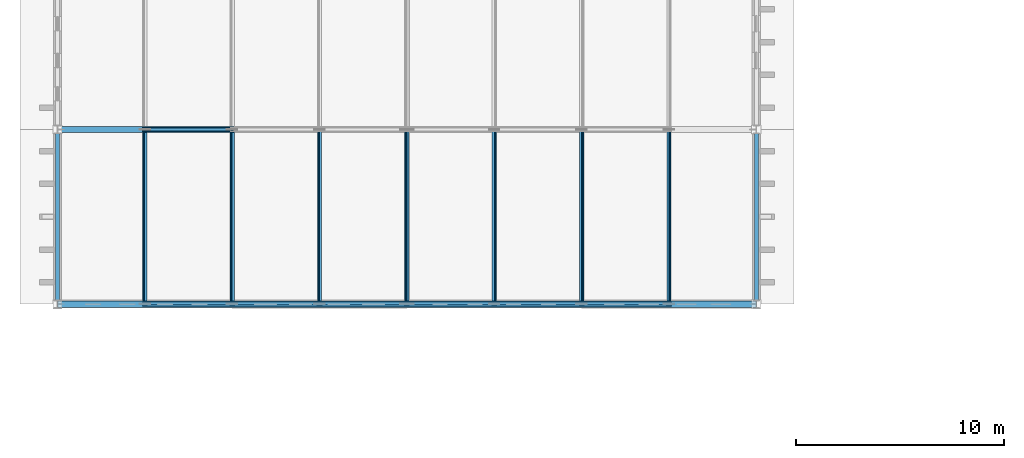
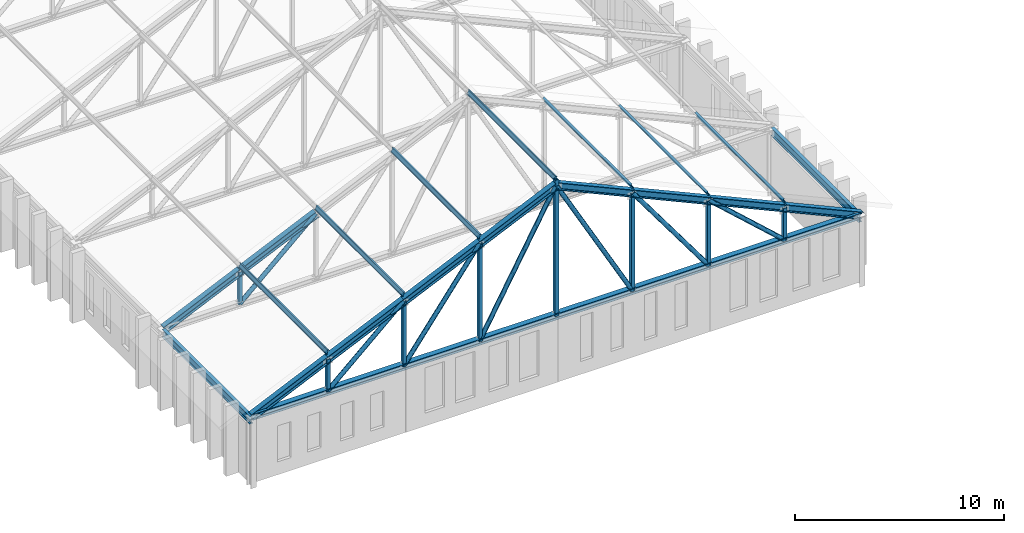
# One storey, part 6 of 110: 33 members, 2 beams.
"""IFC4 building model written with IfcOpenShell, lengths in metres."""

from ifc_helpers import new_model, si_unit, direction, frame, origin, origin_2d, place, context, subcontext, project, spatial, hollow_rectangle, hollow_circle, i_section, extrude, material, material_profile, profile_set, type_object, element, save


model = new_model("IFC4")

# Units and contexts
model_context = context("Model", 3, precision=1e-05, world=origin(), true_north=direction((0.0, 1.0)))
body_context = subcontext(model_context, "Body", "Model", "MODEL_VIEW")
ifc_project = project(units=[si_unit("LENGTHUNIT", "METRE"), si_unit("AREAUNIT", "SQUARE_METRE"), si_unit("VOLUMEUNIT", "CUBIC_METRE"), si_unit("PLANEANGLEUNIT", "RADIAN"), si_unit("MASSUNIT", "GRAM", prefix="KILO")], contexts=[model_context])

# Site, building, storey
site_placement = place(None, origin())
site = spatial("IfcSite", under=ifc_project, at=site_placement, CompositionType="ELEMENT")
building_placement = place(site_placement, origin())
building = spatial("IfcBuilding", under=site, at=building_placement, Name="Kveldsbrygga Polytechnic", CompositionType="ELEMENT")
storey_placement = place(building_placement, frame((0.0, 0.0, 9.860107421875)))
storey = spatial("IfcBuildingStorey", under=building, at=storey_placement, Name="L02", CompositionType="ELEMENT", Elevation=9.860107421875)

# Beams
ifc_material = material(Name="Steel S355", Category="steel")
ifc_material_profile_1 = material_profile(ifc_material, i_section(OverallWidth=0.18994140625, OverallDepth=0.449951171875, WebThickness=0.009521484375, FlangeThickness=0.0146484375, FilletRadius=0.02099609375, at=origin_2d()), Name="IPE 450")
ifc_profile_set_1 = profile_set([ifc_material_profile_1], Name="Steel S355")
beam_type = type_object("IfcBeamType", Name="BM-STL-IPE450", PredefinedType="BEAM", material=ifc_profile_set_1)
for number, where, z_axis, x_axis, name in (
    (1, (0.0, 25.199951171875, 3.554931640625), (0.0, 1.0, 0.0), (-1.0, 0.0, 0.0), "Workshop Eaves Beam BMY-V1EAV-W-03"),
    (2, (33.60009765625, 25.199951171875, 3.554931640625), (0.0, 1.0, 0.0), (-1.0, 0.0, 0.0), "Workshop Eaves Beam BMY-V1EAV-E-03"),
):
    element("IfcBeam", number, at=place(storey_placement, frame(where, z_axis=z_axis, x_axis=x_axis)), inside=storey, type_object=beam_type, Name=name, PredefinedType="BEAM", context=body_context, shape_type="SweptSolid", body=[
        extrude(i_section(OverallWidth=0.18994140625, OverallDepth=0.449951171875, WebThickness=0.009521484375, FlangeThickness=0.0146484375, FilletRadius=0.02099609375, at=origin_2d()), origin(), (0.0, 0.0, 1.0), 8.400146484375),
    ])

# Members
ifc_material_profile_2 = material_profile(ifc_material, i_section(OverallWidth=0.1201171875, OverallDepth=0.239990234375, WebThickness=0.006103515625, FlangeThickness=0.009765625, FilletRadius=0.014892578125, at=origin_2d()), Name="IPE 240")
ifc_profile_set_2 = profile_set([ifc_material_profile_2], Name="Steel S355")
member_type_1 = type_object("IfcMemberType", Name="PRL-IPE240", PredefinedType="PURLIN", material=ifc_profile_set_2)
for number, where, z_axis, x_axis, name in (
    (3, (4.199951171875, 25.199951171875, 6.031005859375), (0.0, 1.0, 0.0), (-0.911107850446, 0.0, 0.41216802988), "Roof Purlin V1W-PRL-1-1"),
    (4, (8.39990234375, 25.199951171875, 7.93115234375), (0.0, 1.0, 0.0), (-0.911107850446, 0.0, 0.41216802988), "Roof Purlin V1W-PRL-1-2"),
    (5, (12.60009765625, 25.199951171875, 9.8310546875), (0.0, 1.0, 0.0), (-0.911107850446, 0.0, 0.41216802988), "Roof Purlin V1W-PRL-1-3"),
    (6, (16.800048828125, 25.199951171875, 11.731201171875), (0.0, 1.0, 0.0), (-0.911107850446, 0.0, 0.41216802988), "Roof Purlin V1W-PRL-1-4"),
    (7, (21.0, 25.199951171875, 9.8310546875), (0.0, 1.0, 0.0), (-0.911107850446, 0.0, -0.41216802988), "Roof Purlin V1W-PRL-1-5"),
    (8, (25.199951171875, 25.199951171875, 7.93115234375), (0.0, 1.0, 0.0), (-0.911107850446, 0.0, -0.41216802988), "Roof Purlin V1W-PRL-1-6"),
    (9, (29.39990234375, 25.199951171875, 6.031005859375), (0.0, 1.0, 0.0), (-0.911107850446, 0.0, -0.41216802988), "Roof Purlin V1W-PRL-1-7"),
):
    element("IfcMember", number, at=place(storey_placement, frame(where, z_axis=z_axis, x_axis=x_axis)), inside=storey, type_object=member_type_1, Name=name, PredefinedType="PURLIN", context=body_context, shape_type="SweptSolid", body=[
        extrude(i_section(OverallWidth=0.1201171875, OverallDepth=0.239990234375, WebThickness=0.006103515625, FlangeThickness=0.009765625, FilletRadius=0.014892578125, at=origin_2d()), origin(), (0.0, 0.0, 1.0), 8.400146484375),
    ])
ifc_material_profile_3 = material_profile(ifc_material, i_section(OverallWidth=0.300048828125, OverallDepth=0.35009765625, WebThickness=0.010009765625, FlangeThickness=0.017578125, FilletRadius=0.027099609375, at=origin_2d()), Name="HEA 360")
ifc_profile_set_3 = profile_set([ifc_material_profile_3], Name="Steel S355")
member_type_2 = type_object("IfcMemberType", Name="TR-BOT-HEA360", PredefinedType="CHORD", material=ifc_profile_set_3)
member_1_placement = place(storey_placement, frame((0.0, 25.199951171875, 3.77978515625), z_axis=(1.0, 0.0, 0.0), x_axis=(0.0, 1.0, 0.0)))
element("IfcMember", 10, at=member_1_placement, inside=storey, type_object=member_type_2, Name="Truss Bottom Chord V1W-T01-BC-1", PredefinedType="CHORD", context=body_context, shape_type="SweptSolid", body=[
    extrude(i_section(OverallWidth=0.300048828125, OverallDepth=0.35009765625, WebThickness=0.010009765625, FlangeThickness=0.017578125, FilletRadius=0.027099609375, at=origin_2d()), origin(), (0.0, 0.0, 1.0), 33.60009765625),
])
ifc_material_profile_4 = material_profile(ifc_material, hollow_circle(Radius=0.122314453125, WallThickness=0.012451171875, at=origin_2d()), Name="CHS 244.5x12.5")
ifc_profile_set_4 = profile_set([ifc_material_profile_4], Name="Steel S355")
member_type_3 = type_object("IfcMemberType", Name="TR-DIAG-CHS245", PredefinedType="BRACE", material=ifc_profile_set_4)
member_2_placement = place(storey_placement, frame((4.199951171875, 25.199951171875, 3.77978515625), z_axis=(0.741527609628, 0.0, 0.670922353302), x_axis=(0.0, 1.0, 0.0)))
element("IfcMember", 11, at=member_2_placement, inside=storey, type_object=member_type_3, Name="Truss Diagonal V1W-T01-DG-2", PredefinedType="BRACE", context=body_context, shape_type="SweptSolid", body=[
    extrude(hollow_circle(Radius=0.122314453125, WallThickness=0.012451171875, at=origin_2d()), origin(), (0.0, 0.0, 1.0), 5.663818359375),
])
member_3_placement = place(storey_placement, frame((8.39990234375, 25.199951171875, 3.77978515625), z_axis=(0.59320374275, 0.0, 0.805052370711), x_axis=(0.0, 1.0, 0.0)))
element("IfcMember", 12, at=member_3_placement, inside=storey, type_object=member_type_3, Name="Truss Diagonal V1W-T01-DG-3", PredefinedType="BRACE", context=body_context, shape_type="SweptSolid", body=[
    extrude(hollow_circle(Radius=0.122314453125, WallThickness=0.012451171875, at=origin_2d()), origin(), (0.0, 0.0, 1.0), 7.08056640625),
])
for number, where, z_axis, x_axis, name in (
    (13, (12.60009765625, 25.199951171875, 3.77978515625), (0.483677042996, 0.0, 0.875246547025), (0.0, 1.0, 0.0), "Truss Diagonal V1W-T01-DG-4"),
    (14, (16.800048828125, 25.199951171875, 11.3798828125), (0.483677042996, 0.0, -0.875246547025), (0.0, 1.0, 0.0), "Truss Diagonal V1W-T01-DG-5"),
):
    element("IfcMember", number, at=place(storey_placement, frame(where, z_axis=z_axis, x_axis=x_axis)), inside=storey, type_object=member_type_3, Name=name, PredefinedType="BRACE", context=body_context, shape_type="SweptSolid", body=[
        extrude(hollow_circle(Radius=0.122314453125, WallThickness=0.012451171875, at=origin_2d()), origin(), (0.0, 0.0, 1.0), 8.683349609375),
    ])
member_4_placement = place(storey_placement, frame((21.0, 25.199951171875, 9.47998046875), z_axis=(0.593181394885, 0.0, -0.805068837282), x_axis=(0.0, 1.0, 0.0)))
element("IfcMember", 15, at=member_4_placement, inside=storey, type_object=member_type_3, Name="Truss Diagonal V1W-T01-DG-6", PredefinedType="BRACE", context=body_context, shape_type="SweptSolid", body=[
    extrude(hollow_circle(Radius=0.122314453125, WallThickness=0.012451171875, at=origin_2d()), origin(), (0.0, 0.0, 1.0), 7.080322265625),
])
for number, where, z_axis, x_axis, name in (
    (16, (25.199951171875, 25.199951171875, 7.579833984375), (0.741527609628, 0.0, -0.670922353302), (0.0, 1.0, 0.0), "Truss Diagonal V1W-T01-DG-7"),
    (17, (4.199951171875, 33.60009765625, 3.77978515625), (0.741527609628, 0.0, 0.670922353302), (0.0, 1.0, 0.0), "Truss Diagonal V1W-T02-DG-2"),
):
    element("IfcMember", number, at=place(storey_placement, frame(where, z_axis=z_axis, x_axis=x_axis)), inside=storey, type_object=member_type_3, Name=name, PredefinedType="BRACE", context=body_context, shape_type="SweptSolid", body=[
        extrude(hollow_circle(Radius=0.122314453125, WallThickness=0.012451171875, at=origin_2d()), origin(), (0.0, 0.0, 1.0), 5.663818359375),
    ])
ifc_material_profile_5 = material_profile(ifc_material, hollow_rectangle(XDim=0.199951171875, YDim=0.199951171875, WallThickness=0.012451171875, at=origin_2d()), Name="SHS 200x200x12.5")
ifc_profile_set_5 = profile_set([ifc_material_profile_5], Name="Steel S355")
member_type_4 = type_object("IfcMemberType", Name="TR-POST-SHS200", PredefinedType="STRUT", material=ifc_profile_set_5)
member_5_placement = place(storey_placement, frame((4.199951171875, 25.199951171875, 3.77978515625), z_axis=(0.0, 0.0, 1.0), x_axis=(1.0, 0.0, 0.0)))
element("IfcMember", 18, at=member_5_placement, inside=storey, type_object=member_type_4, Name="Truss Vertical V1W-T01-VT-1", PredefinedType="STRUT", context=body_context, shape_type="SweptSolid", body=[
    extrude(hollow_rectangle(XDim=0.199951171875, YDim=0.199951171875, WallThickness=0.012451171875, at=origin_2d()), origin(), (0.0, 0.0, 1.0), 1.900146484375),
])
member_6_placement = place(storey_placement, frame((8.39990234375, 25.199951171875, 3.77978515625), z_axis=(0.0, 0.0, 1.0), x_axis=(1.0, 0.0, 0.0)))
element("IfcMember", 19, at=member_6_placement, inside=storey, type_object=member_type_4, Name="Truss Vertical V1W-T01-VT-2", PredefinedType="STRUT", context=body_context, shape_type="SweptSolid", body=[
    extrude(hollow_rectangle(XDim=0.199951171875, YDim=0.199951171875, WallThickness=0.012451171875, at=origin_2d()), origin(), (0.0, 0.0, 1.0), 3.800048828125),
])
member_7_placement = place(storey_placement, frame((12.60009765625, 25.199951171875, 3.77978515625), z_axis=(0.0, 0.0, 1.0), x_axis=(1.0, 0.0, 0.0)))
element("IfcMember", 20, at=member_7_placement, inside=storey, type_object=member_type_4, Name="Truss Vertical V1W-T01-VT-3", PredefinedType="STRUT", context=body_context, shape_type="SweptSolid", body=[
    extrude(hollow_rectangle(XDim=0.199951171875, YDim=0.199951171875, WallThickness=0.012451171875, at=origin_2d()), origin(), (0.0, 0.0, 1.0), 5.7001953125),
])
member_8_placement = place(storey_placement, frame((16.800048828125, 25.199951171875, 3.77978515625), z_axis=(0.0, 0.0, 1.0), x_axis=(1.0, 0.0, 0.0)))
element("IfcMember", 21, at=member_8_placement, inside=storey, type_object=member_type_4, Name="Truss Vertical V1W-T01-VT-4", PredefinedType="STRUT", context=body_context, shape_type="SweptSolid", body=[
    extrude(hollow_rectangle(XDim=0.199951171875, YDim=0.199951171875, WallThickness=0.012451171875, at=origin_2d()), origin(), (0.0, 0.0, 1.0), 7.951416015625),
])
member_9_placement = place(storey_placement, frame((21.0, 25.199951171875, 3.77978515625), z_axis=(0.0, 0.0, 1.0), x_axis=(1.0, 0.0, 0.0)))
element("IfcMember", 22, at=member_9_placement, inside=storey, type_object=member_type_4, Name="Truss Vertical V1W-T01-VT-5", PredefinedType="STRUT", context=body_context, shape_type="SweptSolid", body=[
    extrude(hollow_rectangle(XDim=0.199951171875, YDim=0.199951171875, WallThickness=0.012451171875, at=origin_2d()), origin(), (0.0, 0.0, 1.0), 5.7001953125),
])
member_10_placement = place(storey_placement, frame((25.199951171875, 25.199951171875, 3.77978515625), z_axis=(0.0, 0.0, 1.0), x_axis=(1.0, 0.0, 0.0)))
element("IfcMember", 23, at=member_10_placement, inside=storey, type_object=member_type_4, Name="Truss Vertical V1W-T01-VT-6", PredefinedType="STRUT", context=body_context, shape_type="SweptSolid", body=[
    extrude(hollow_rectangle(XDim=0.199951171875, YDim=0.199951171875, WallThickness=0.012451171875, at=origin_2d()), origin(), (0.0, 0.0, 1.0), 3.800048828125),
])
for number, where, z_axis, x_axis, name in (
    (24, (29.39990234375, 25.199951171875, 3.77978515625), (0.0, 0.0, 1.0), (1.0, 0.0, 0.0), "Truss Vertical V1W-T01-VT-7"),
    (25, (4.199951171875, 33.60009765625, 3.77978515625), (0.0, 0.0, 1.0), (1.0, 0.0, 0.0), "Truss Vertical V1W-T02-VT-1"),
):
    element("IfcMember", number, at=place(storey_placement, frame(where, z_axis=z_axis, x_axis=x_axis)), inside=storey, type_object=member_type_4, Name=name, PredefinedType="STRUT", context=body_context, shape_type="SweptSolid", body=[
        extrude(hollow_rectangle(XDim=0.199951171875, YDim=0.199951171875, WallThickness=0.012451171875, at=origin_2d()), origin(), (0.0, 0.0, 1.0), 1.900146484375),
    ])
ifc_material_profile_6 = material_profile(ifc_material, i_section(OverallWidth=0.300048828125, OverallDepth=0.39990234375, WebThickness=0.013427734375, FlangeThickness=0.02392578125, FilletRadius=0.027099609375, at=origin_2d()), Name="HEB 400")
ifc_profile_set_6 = profile_set([ifc_material_profile_6], Name="Steel S355")
member_type_5 = type_object("IfcMemberType", Name="TR-TOP-HEB400", PredefinedType="CHORD", material=ifc_profile_set_6)
member_11_placement = place(storey_placement, frame((0.0, 25.199951171875, 3.77978515625), z_axis=(0.911094189765, 0.0, 0.412198225829), x_axis=(0.0, 1.0, 0.0)))
element("IfcMember", 26, at=member_11_placement, inside=storey, type_object=member_type_5, Name="Truss Top Chord V1W-T01-TC-1", PredefinedType="CHORD", context=body_context, shape_type="SweptSolid", body=[
    extrude(i_section(OverallWidth=0.300048828125, OverallDepth=0.39990234375, WebThickness=0.013427734375, FlangeThickness=0.02392578125, FilletRadius=0.027099609375, at=origin_2d()), origin(), (0.0, 0.0, 1.0), 4.60986328125),
])
member_12_placement = place(storey_placement, frame((4.199951171875, 25.199951171875, 5.679931640625), z_axis=(0.91111407885, 0.0, 0.41215426156), x_axis=(0.0, 1.0, 0.0)))
element("IfcMember", 27, at=member_12_placement, inside=storey, type_object=member_type_5, Name="Truss Top Chord V1W-T01-TC-2", PredefinedType="CHORD", context=body_context, shape_type="SweptSolid", body=[
    extrude(i_section(OverallWidth=0.300048828125, OverallDepth=0.39990234375, WebThickness=0.013427734375, FlangeThickness=0.02392578125, FilletRadius=0.027099609375, at=origin_2d()), origin(), (0.0, 0.0, 1.0), 4.609619140625),
])
member_13_placement = place(storey_placement, frame((8.39990234375, 25.199951171875, 7.579833984375), z_axis=(0.911103187639, 0.0, 0.412178336979), x_axis=(0.0, 1.0, 0.0)))
element("IfcMember", 28, at=member_13_placement, inside=storey, type_object=member_type_5, Name="Truss Top Chord V1W-T01-TC-3", PredefinedType="CHORD", context=body_context, shape_type="SweptSolid", body=[
    extrude(i_section(OverallWidth=0.300048828125, OverallDepth=0.39990234375, WebThickness=0.013427734375, FlangeThickness=0.02392578125, FilletRadius=0.027099609375, at=origin_2d()), origin(), (0.0, 0.0, 1.0), 4.610107421875),
])
for number, where, z_axis, x_axis, name in (
    (29, (12.60009765625, 25.199951171875, 9.47998046875), (0.91111407885, 0.0, 0.41215426156), (0.0, 1.0, 0.0), "Truss Top Chord V1W-T01-TC-4"),
    (30, (16.800048828125, 25.199951171875, 11.3798828125), (0.91111407885, 0.0, -0.41215426156), (0.0, 1.0, 0.0), "Truss Top Chord V1W-T01-TC-5"),
):
    element("IfcMember", number, at=place(storey_placement, frame(where, z_axis=z_axis, x_axis=x_axis)), inside=storey, type_object=member_type_5, Name=name, PredefinedType="CHORD", context=body_context, shape_type="SweptSolid", body=[
        extrude(i_section(OverallWidth=0.300048828125, OverallDepth=0.39990234375, WebThickness=0.013427734375, FlangeThickness=0.02392578125, FilletRadius=0.027099609375, at=origin_2d()), origin(), (0.0, 0.0, 1.0), 4.609619140625),
    ])
member_14_placement = place(storey_placement, frame((21.0, 25.199951171875, 9.47998046875), z_axis=(0.911094189765, 0.0, -0.412198225829), x_axis=(0.0, 1.0, 0.0)))
element("IfcMember", 31, at=member_14_placement, inside=storey, type_object=member_type_5, Name="Truss Top Chord V1W-T01-TC-6", PredefinedType="CHORD", context=body_context, shape_type="SweptSolid", body=[
    extrude(i_section(OverallWidth=0.300048828125, OverallDepth=0.39990234375, WebThickness=0.013427734375, FlangeThickness=0.02392578125, FilletRadius=0.027099609375, at=origin_2d()), origin(), (0.0, 0.0, 1.0), 4.60986328125),
])
member_15_placement = place(storey_placement, frame((25.199951171875, 25.199951171875, 7.579833984375), z_axis=(0.91111407885, 0.0, -0.41215426156), x_axis=(0.0, 1.0, 0.0)))
element("IfcMember", 32, at=member_15_placement, inside=storey, type_object=member_type_5, Name="Truss Top Chord V1W-T01-TC-7", PredefinedType="CHORD", context=body_context, shape_type="SweptSolid", body=[
    extrude(i_section(OverallWidth=0.300048828125, OverallDepth=0.39990234375, WebThickness=0.013427734375, FlangeThickness=0.02392578125, FilletRadius=0.027099609375, at=origin_2d()), origin(), (0.0, 0.0, 1.0), 4.609619140625),
])
member_16_placement = place(storey_placement, frame((29.39990234375, 25.199951171875, 5.679931640625), z_axis=(0.911103187639, 0.0, -0.412178336979), x_axis=(0.0, 1.0, 0.0)))
element("IfcMember", 33, at=member_16_placement, inside=storey, type_object=member_type_5, Name="Truss Top Chord V1W-T01-TC-8", PredefinedType="CHORD", context=body_context, shape_type="SweptSolid", body=[
    extrude(i_section(OverallWidth=0.300048828125, OverallDepth=0.39990234375, WebThickness=0.013427734375, FlangeThickness=0.02392578125, FilletRadius=0.027099609375, at=origin_2d()), origin(), (0.0, 0.0, 1.0), 4.610107421875),
])
member_17_placement = place(storey_placement, frame((0.0, 33.60009765625, 3.77978515625), z_axis=(0.911094189765, 0.0, 0.412198225829), x_axis=(0.0, 1.0, 0.0)))
element("IfcMember", 34, at=member_17_placement, inside=storey, type_object=member_type_5, Name="Truss Top Chord V1W-T02-TC-1", PredefinedType="CHORD", context=body_context, shape_type="SweptSolid", body=[
    extrude(i_section(OverallWidth=0.300048828125, OverallDepth=0.39990234375, WebThickness=0.013427734375, FlangeThickness=0.02392578125, FilletRadius=0.027099609375, at=origin_2d()), origin(), (0.0, 0.0, 1.0), 4.60986328125),
])
member_18_placement = place(storey_placement, frame((4.199951171875, 33.60009765625, 5.679931640625), z_axis=(0.91111407885, 0.0, 0.41215426156), x_axis=(0.0, 1.0, 0.0)))
element("IfcMember", 35, at=member_18_placement, inside=storey, type_object=member_type_5, Name="Truss Top Chord V1W-T02-TC-2", PredefinedType="CHORD", context=body_context, shape_type="SweptSolid", body=[
    extrude(i_section(OverallWidth=0.300048828125, OverallDepth=0.39990234375, WebThickness=0.013427734375, FlangeThickness=0.02392578125, FilletRadius=0.027099609375, at=origin_2d()), origin(), (0.0, 0.0, 1.0), 4.609619140625),
])

save(model, "model.ifc")
